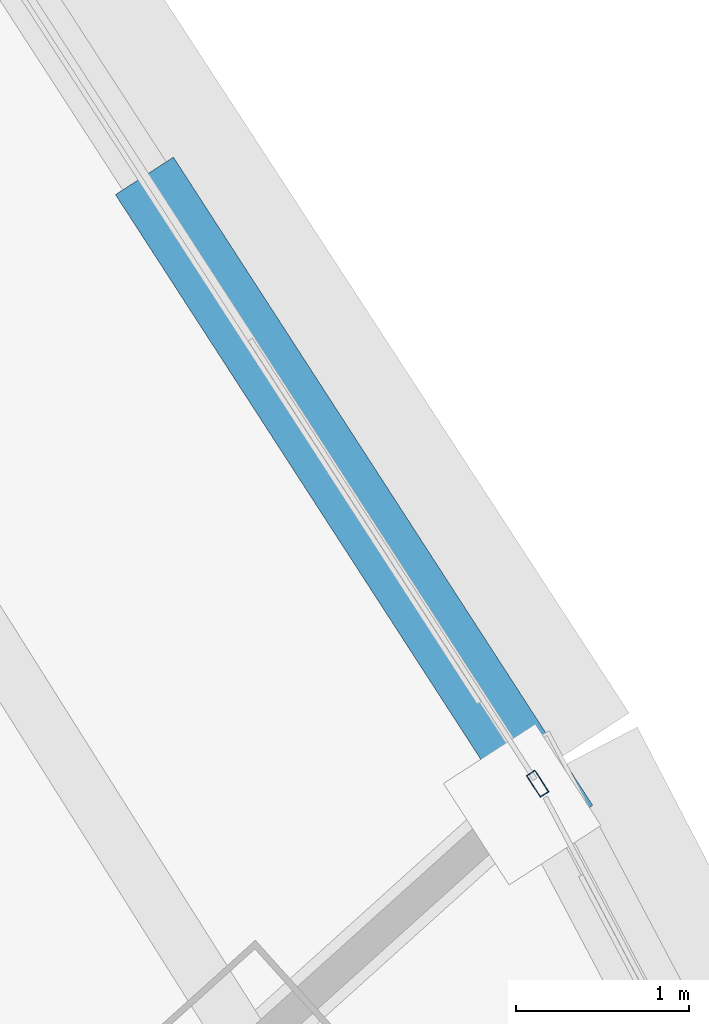
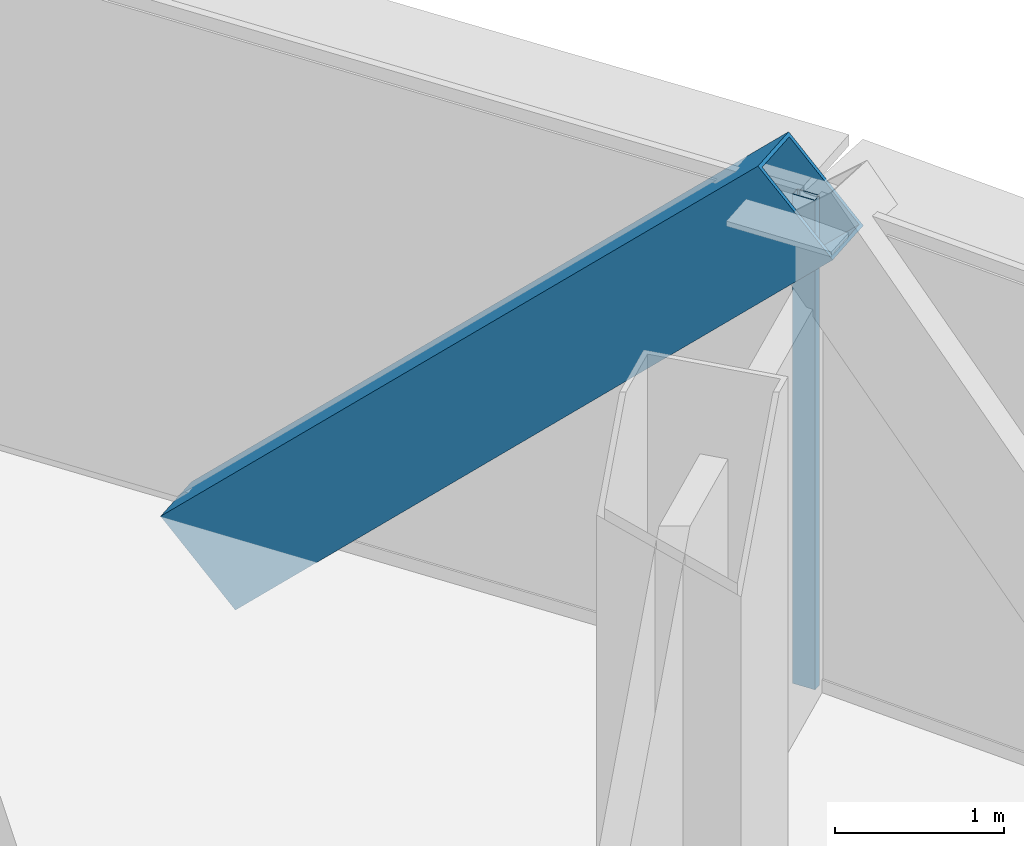
# One storey, part 20 of 40: 2 members, 1 element without a shape of its own.
"""IFC4 building model written with IfcOpenShell, lengths in metres."""

from ifc_helpers import new_model, si_unit, direction, frame, origin, origin_2d, place, context, subcontext, project, spatial, hollow_rectangle, extrude, source, transform, mapped, material, layer, layer_set, material_profile, profile_set, type_object, element, aggregate, save


model = new_model("IFC4")

# Units and contexts
model_context = context("Model", 3, precision=1e-05, world=origin(), true_north=direction((0.0, 1.0)))
body_context = subcontext(model_context, "Body", "Model", "MODEL_VIEW")
ifc_project = project(units=[si_unit("LENGTHUNIT", "METRE"), si_unit("AREAUNIT", "SQUARE_METRE"), si_unit("VOLUMEUNIT", "CUBIC_METRE"), si_unit("PLANEANGLEUNIT", "RADIAN"), si_unit("MASSUNIT", "GRAM", prefix="KILO"), si_unit("THERMODYNAMICTEMPERATUREUNIT", "KELVIN"), si_unit("POWERUNIT", "WATT")], contexts=[model_context])

# Site, building, storey
site_placement = place(None, origin())
site = spatial("IfcSite", under=ifc_project, at=site_placement, CompositionType="ELEMENT")
building_placement = place(site_placement, origin())
building = spatial("IfcBuilding", under=site, at=building_placement, Name="Yunzhuo Pagoda Commons", CompositionType="ELEMENT")
storey_placement = place(building_placement, frame((0.0, 0.0, 188.56005859375)))
storey = spatial("IfcBuildingStorey", under=building, at=storey_placement, Name="L47", CompositionType="ELEMENT", Elevation=188.56005859375)

# Member
ifc_material_1 = material(Name="Structural steel Q355B", Category="steel")
ifc_material_profile_1 = material_profile(ifc_material_1, hollow_rectangle(XDim=0.39990234375, YDim=0.719970703125, WallThickness=0.02392578125, at=origin_2d()), Name="Structural steel Q355B")
ifc_profile_set_1 = profile_set([ifc_material_profile_1], Name="Structural steel Q355B")
member_type_1 = type_object("IfcMemberType", Name="M-DL2 Brace BOX 720x400x24", PredefinedType="BRACE", material=ifc_profile_set_1)
shared_shape_1 = source(origin(), body_context, "Body", "SweptSolid", [
    extrude(hollow_rectangle(XDim=0.39990234375, YDim=0.719970703125, WallThickness=0.02392578125, at=origin_2d()), origin(), (0.0, 0.0, 1.0), 5.4990234375),
])
member_1_placement = place(storey_placement, frame((70.176513671875, 58.94921875, -0.260009765625), z_axis=(0.39260104704, -0.606904479593, 0.691036446588), x_axis=(0.839634419332, 0.543151950999, 0.0)))
element("IfcMember", 1, at=member_1_placement, inside=storey, type_object=member_type_1, Name="L47 facade diamond brace F2.3L", PredefinedType="BRACE", context=body_context, shape_type="MappedRepresentation", body=[
    mapped(shared_shape_1, transform((0.0, 0.0, 0.0), scale=1.0)),
])

# Curtain wall, member
ifc_material_2 = material(Name="Anodized aluminium 6063-T6", Category="aluminium")
ifc_layer = layer(ifc_material_2, 0.14990234375)
ifc_layer_set = layer_set([ifc_layer], Name="Anodized aluminium 6063-T6")
curtain_wall_type = type_object("IfcCurtainWallType", Name="CW-MID Mid-Zone Ribbon Curtain Wall", PredefinedType="NOTDEFINED", material=ifc_layer_set)
curtain_wall_placement = place(storey_placement, origin())
curtain_wall = element("IfcCurtainWall", 2, at=curtain_wall_placement, inside=storey, type_object=curtain_wall_type, Name="L47 curtain wall CW-L47-F2B4", PredefinedType="NOTDEFINED")
ifc_material_profile_2 = material_profile(ifc_material_2, hollow_rectangle(XDim=0.06005859375, YDim=0.14990234375, WallThickness=0.00390625, at=origin_2d()), Name="Anodized aluminium 6063-T6")
ifc_profile_set_2 = profile_set([ifc_material_profile_2], Name="Anodized aluminium 6063-T6")
member_type_2 = type_object("IfcMemberType", Name="CW-MID-M Mullion RHS 150x60x4", PredefinedType="MULLION", material=ifc_profile_set_2)
shared_shape_2 = source(origin(), body_context, "Body", "SweptSolid", [
    extrude(hollow_rectangle(XDim=0.06005859375, YDim=0.14990234375, WallThickness=0.00390625, at=origin_2d()), origin(), (0.0, 0.0, 1.0), 3.5400390625),
])
member_2_placement = place(storey_placement, frame((72.319091796875, 55.636962890625, 0.0), z_axis=(0.0, 0.0, 1.0), x_axis=(-0.839626850374, -0.543163651335, 0.0)))
member_2 = element("IfcMember", 3, at=member_2_placement, type_object=member_type_2, Name="CW mullion 1", PredefinedType="MULLION", context=body_context, shape_type="MappedRepresentation", body=[
    mapped(shared_shape_2, transform((0.0, 0.0, 0.0), scale=1.0)),
])
aggregate(curtain_wall, [member_2])

save(model, "model.ifc")
